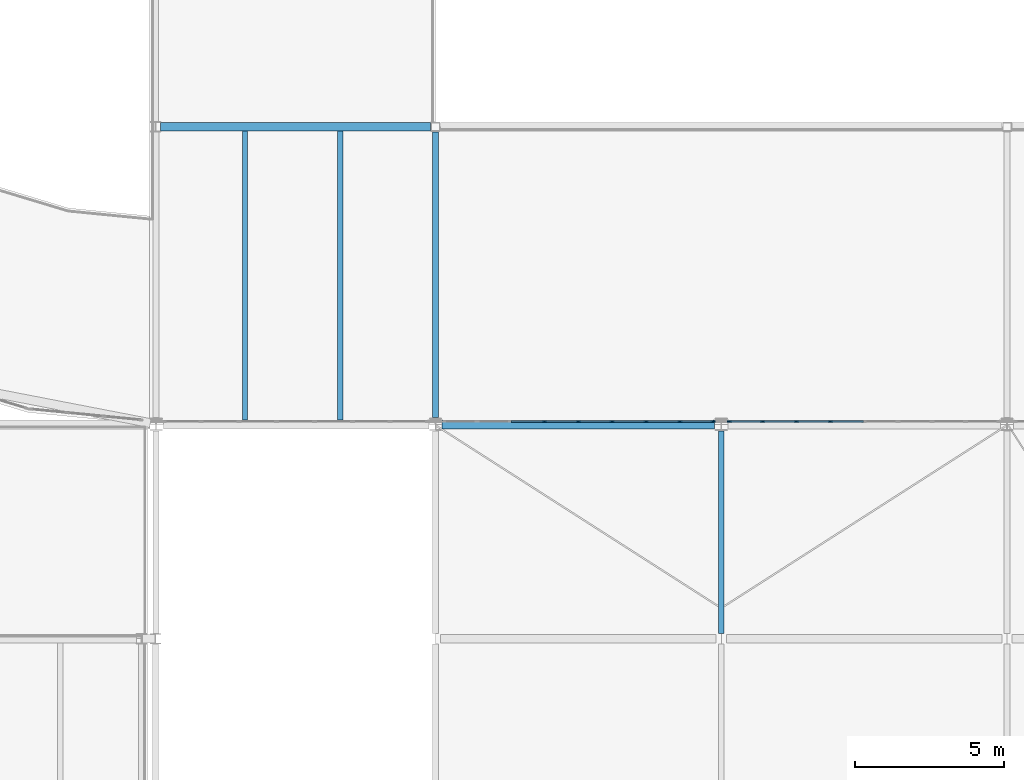
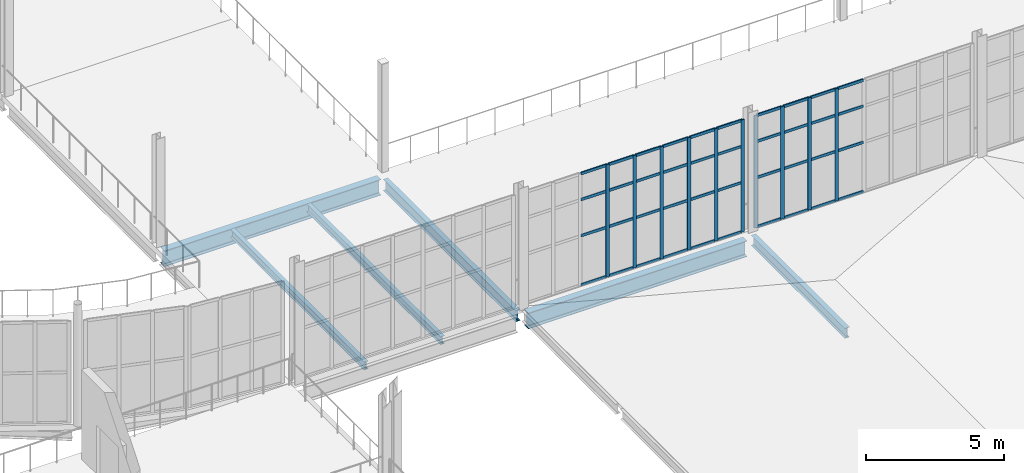
# One storey, part 29 of 112: 50 members, 6 beams, 2 elements without a shape of their own.
"""IFC4 building model written with IfcOpenShell, lengths in metres."""

from ifc_helpers import new_model, si_unit, direction, frame, origin, origin_2d, place, context, subcontext, project, spatial, rectangle, i_section, extrude, material, layer, layer_set, material_profile, profile_set, type_object, element, aggregate, save


model = new_model("IFC4")

# Units and contexts
model_context = context("Model", 3, precision=1e-05, world=origin(), true_north=direction((0.0, 1.0)))
body_context = subcontext(model_context, "Body", "Model", "MODEL_VIEW")
ifc_project = project(units=[si_unit("LENGTHUNIT", "METRE"), si_unit("AREAUNIT", "SQUARE_METRE"), si_unit("VOLUMEUNIT", "CUBIC_METRE"), si_unit("PLANEANGLEUNIT", "RADIAN"), si_unit("MASSUNIT", "GRAM", prefix="KILO")], contexts=[model_context])

# Site, building, storey
site_placement = place(None, origin())
site = spatial("IfcSite", under=ifc_project, at=site_placement, CompositionType="ELEMENT")
building_placement = place(site_placement, origin())
building = spatial("IfcBuilding", under=site, at=building_placement, Name="Yeouljin Market Hall", CompositionType="ELEMENT")
storey_placement = place(building_placement, frame((0.0, 0.0, 6.0)))
storey = spatial("IfcBuildingStorey", under=building, at=storey_placement, Name="L01", CompositionType="ELEMENT", Elevation=6.0)

# Beams
ifc_material_1 = material(Name="Steel SM355", Category="steel")
ifc_material_profile_1 = material_profile(ifc_material_1, i_section(OverallWidth=0.199951171875, OverallDepth=0.449951171875, WebThickness=0.009033203125, FlangeThickness=0.013916015625, FilletRadius=0.01806640625, at=origin_2d()), Name="H-450x200x9x14")
ifc_profile_set_1 = profile_set([ifc_material_profile_1], Name="Steel SM355")
beam_type_1 = type_object("IfcBeamType", Name="Beam_H-450x200x9x14", PredefinedType="BEAM", material=ifc_profile_set_1)
beam_1_placement = place(storey_placement, frame((54.60009765625, 28.97509765625, -0.2451171875), z_axis=(0.0, 1.0, 0.0), x_axis=(-1.0, 0.0, 0.0)))
element("IfcBeam", 1, at=beam_1_placement, inside=storey, type_object=beam_type_1, Name="Boulevard forecourt canopy beam BM-V5FC-Y06", PredefinedType="BEAM", context=body_context, shape_type="SweptSolid", body=[
    extrude(i_section(OverallWidth=0.199951171875, OverallDepth=0.449951171875, WebThickness=0.009033203125, FlangeThickness=0.013916015625, FilletRadius=0.01806640625, at=origin_2d()), origin(), (0.0, 0.0, 1.0), 6.7998046875),
])
ifc_material_2 = material(Name="Steel SM355", Category="steel")
ifc_material_profile_2 = material_profile(ifc_material_2, i_section(OverallWidth=0.199951171875, OverallDepth=0.5, WebThickness=0.010009765625, FlangeThickness=0.01611328125, FilletRadius=0.02001953125, at=origin_2d()), Name="H-500x200x10x16")
ifc_profile_set_2 = profile_set([ifc_material_profile_2], Name="Steel SM355")
beam_type_2 = type_object("IfcBeamType", Name="Beam_H-500x200x10x16", PredefinedType="BEAM", material=ifc_profile_set_2)
beam_2_placement = place(storey_placement, frame((45.0, 36.22509765625, -0.52001953125), z_axis=(0.0, 1.0, 0.0), x_axis=(-1.0, 0.0, 0.0)))
element("IfcBeam", 2, at=beam_2_placement, inside=storey, type_object=beam_type_2, Name="Primary beam BM-L01-Y156", PredefinedType="BEAM", context=body_context, shape_type="SweptSolid", body=[
    extrude(i_section(OverallWidth=0.199951171875, OverallDepth=0.5, WebThickness=0.010009765625, FlangeThickness=0.01611328125, FilletRadius=0.02001953125, at=origin_2d()), origin(), (0.0, 0.0, 1.0), 9.599853515625),
])

# Curtain wall, members
ifc_material_3 = material(Name="Thermally Broken Aluminium", Category="aluminium")
ifc_layer = layer(ifc_material_3, 0.159912109375)
ifc_layer_set = layer_set([ifc_layer], Name="Thermally Broken Aluminium")
curtain_wall_type = type_object("IfcCurtainWallType", Name="CW_HallClerestory_System", PredefinedType="USERDEFINED", material=ifc_layer_set)
curtain_wall_1_placement = place(storey_placement, origin())
curtain_wall_1 = element("IfcCurtainWall", 3, at=curtain_wall_1_placement, inside=storey, type_object=curtain_wall_type, Name="Curtain wall CW-V1S-L01-02", ObjectType="CURTAIN WALL", PredefinedType="USERDEFINED")
ifc_material_4 = material(Name="Thermally Broken Aluminium", Category="aluminium")
ifc_material_profile_3 = material_profile(ifc_material_4, rectangle(XDim=0.048095703125, YDim=0.14990234375, at=origin_2d()), Name="CW-MULL-48x150")
ifc_profile_set_3 = profile_set([ifc_material_profile_3], Name="Thermally Broken Aluminium")
member_type_1 = type_object("IfcMemberType", Name="CWMullion_48x150", PredefinedType="MULLION", material=ifc_profile_set_3)
member_1_placement = place(storey_placement, frame((54.325927734375, 36.10009765625, 0.0), z_axis=(0.0, 0.0, 1.0), x_axis=(0.0, -1.0, 0.0)))
member_1 = element("IfcMember", 4, at=member_1_placement, type_object=member_type_1, Name="CW-02 mullion 1", PredefinedType="MULLION", context=body_context, shape_type="SweptSolid", body=[
    extrude(rectangle(XDim=0.048095703125, YDim=0.14990234375, at=origin_2d()), origin(), (0.0, 0.0, 1.0), 4.969970703125),
])
member_2_placement = place(storey_placement, frame((53.21240234375, 36.10009765625, 0.0), z_axis=(0.0, 0.0, 1.0), x_axis=(0.0, -1.0, 0.0)))
member_2 = element("IfcMember", 5, at=member_2_placement, type_object=member_type_1, Name="CW-02 mullion 2", PredefinedType="MULLION", context=body_context, shape_type="SweptSolid", body=[
    extrude(rectangle(XDim=0.048095703125, YDim=0.14990234375, at=origin_2d()), origin(), (0.0, 0.0, 1.0), 4.969970703125),
])
member_3_placement = place(storey_placement, frame((52.074951171875, 36.10009765625, 0.0), z_axis=(0.0, 0.0, 1.0), x_axis=(0.0, -1.0, 0.0)))
member_3 = element("IfcMember", 6, at=member_3_placement, type_object=member_type_1, Name="CW-02 mullion 3", PredefinedType="MULLION", context=body_context, shape_type="SweptSolid", body=[
    extrude(rectangle(XDim=0.048095703125, YDim=0.14990234375, at=origin_2d()), origin(), (0.0, 0.0, 1.0), 4.969970703125),
])
member_4_placement = place(storey_placement, frame((50.9375, 36.10009765625, 0.0), z_axis=(0.0, 0.0, 1.0), x_axis=(0.0, -1.0, 0.0)))
member_4 = element("IfcMember", 7, at=member_4_placement, type_object=member_type_1, Name="CW-02 mullion 4", PredefinedType="MULLION", context=body_context, shape_type="SweptSolid", body=[
    extrude(rectangle(XDim=0.048095703125, YDim=0.14990234375, at=origin_2d()), origin(), (0.0, 0.0, 1.0), 4.969970703125),
])
member_5_placement = place(storey_placement, frame((49.800048828125, 36.10009765625, 0.0), z_axis=(0.0, 0.0, 1.0), x_axis=(0.0, -1.0, 0.0)))
member_5 = element("IfcMember", 8, at=member_5_placement, type_object=member_type_1, Name="CW-02 mullion 5", PredefinedType="MULLION", context=body_context, shape_type="SweptSolid", body=[
    extrude(rectangle(XDim=0.048095703125, YDim=0.14990234375, at=origin_2d()), origin(), (0.0, 0.0, 1.0), 4.969970703125),
])
member_6_placement = place(storey_placement, frame((48.66259765625, 36.10009765625, 0.0), z_axis=(0.0, 0.0, 1.0), x_axis=(0.0, -1.0, 0.0)))
member_6 = element("IfcMember", 9, at=member_6_placement, type_object=member_type_1, Name="CW-02 mullion 6", PredefinedType="MULLION", context=body_context, shape_type="SweptSolid", body=[
    extrude(rectangle(XDim=0.048095703125, YDim=0.14990234375, at=origin_2d()), origin(), (0.0, 0.0, 1.0), 4.969970703125),
])

curtain_wall_2_placement = place(storey_placement, origin())
curtain_wall_2 = element("IfcCurtainWall", 10, at=curtain_wall_2_placement, inside=storey, type_object=curtain_wall_type, Name="Curtain wall CW-V1S-L01-03", ObjectType="CURTAIN WALL", PredefinedType="USERDEFINED")
member_7_placement = place(storey_placement, frame((58.262451171875, 36.10009765625, 0.0), z_axis=(0.0, 0.0, 1.0), x_axis=(0.0, -1.0, 0.0)))
member_7 = element("IfcMember", 11, at=member_7_placement, type_object=member_type_1, Name="CW-02 mullion 6", PredefinedType="MULLION", context=body_context, shape_type="SweptSolid", body=[
    extrude(rectangle(XDim=0.048095703125, YDim=0.14990234375, at=origin_2d()), origin(), (0.0, 0.0, 1.0), 4.969970703125),
])
member_8_placement = place(storey_placement, frame((57.125, 36.10009765625, 0.0), z_axis=(0.0, 0.0, 1.0), x_axis=(0.0, -1.0, 0.0)))
member_8 = element("IfcMember", 12, at=member_8_placement, type_object=member_type_1, Name="CW-02 mullion 7", PredefinedType="MULLION", context=body_context, shape_type="SweptSolid", body=[
    extrude(rectangle(XDim=0.048095703125, YDim=0.14990234375, at=origin_2d()), origin(), (0.0, 0.0, 1.0), 4.969970703125),
])
member_9_placement = place(storey_placement, frame((55.987548828125, 36.10009765625, 0.0), z_axis=(0.0, 0.0, 1.0), x_axis=(0.0, -1.0, 0.0)))
member_9 = element("IfcMember", 13, at=member_9_placement, type_object=member_type_1, Name="CW-02 mullion 8", PredefinedType="MULLION", context=body_context, shape_type="SweptSolid", body=[
    extrude(rectangle(XDim=0.048095703125, YDim=0.14990234375, at=origin_2d()), origin(), (0.0, 0.0, 1.0), 4.969970703125),
])
member_10_placement = place(storey_placement, frame((54.8740234375, 36.10009765625, 0.0), z_axis=(0.0, 0.0, 1.0), x_axis=(0.0, -1.0, 0.0)))
member_10 = element("IfcMember", 14, at=member_10_placement, type_object=member_type_1, Name="CW-02 mullion 9", PredefinedType="MULLION", context=body_context, shape_type="SweptSolid", body=[
    extrude(rectangle(XDim=0.048095703125, YDim=0.14990234375, at=origin_2d()), origin(), (0.0, 0.0, 1.0), 4.969970703125),
])

# Member
ifc_material_5 = material(Name="Thermally Broken Aluminium", Category="aluminium")
ifc_material_profile_4 = material_profile(ifc_material_5, rectangle(XDim=0.048095703125, YDim=0.1201171875, at=origin_2d()), Name="CW-TRAN-48x120")
ifc_profile_set_4 = profile_set([ifc_material_profile_4], Name="Thermally Broken Aluminium")
member_type_2 = type_object("IfcMemberType", Name="CWTransom_48x120", PredefinedType="USERDEFINED", material=ifc_profile_set_4)
member_11_placement = place(storey_placement, frame((54.302001953125, 36.10009765625, 0.02392578125), z_axis=(-1.0, 0.0, 0.0), x_axis=(0.0, -1.0, 0.0)))
member_11 = element("IfcMember", 15, at=member_11_placement, type_object=member_type_2, Name="CW-02 transom 1.1", ObjectType="TRANSOM", PredefinedType="USERDEFINED", context=body_context, shape_type="SweptSolid", body=[
    extrude(rectangle(XDim=0.048095703125, YDim=0.1201171875, at=origin_2d()), origin(), (0.0, 0.0, 1.0), 1.0654296875),
])

member_12_placement = place(storey_placement, frame((54.302001953125, 36.10009765625, 2.199951171875), z_axis=(-1.0, 0.0, 0.0), x_axis=(0.0, -1.0, 0.0)))
member_12 = element("IfcMember", 16, at=member_12_placement, type_object=member_type_2, Name="CW-02 transom 1.2", ObjectType="TRANSOM", PredefinedType="USERDEFINED", context=body_context, shape_type="SweptSolid", body=[
    extrude(rectangle(XDim=0.048095703125, YDim=0.1201171875, at=origin_2d()), origin(), (0.0, 0.0, 1.0), 1.0654296875),
])

member_13_placement = place(storey_placement, frame((54.302001953125, 36.10009765625, 3.800048828125), z_axis=(-1.0, 0.0, 0.0), x_axis=(0.0, -1.0, 0.0)))
member_13 = element("IfcMember", 17, at=member_13_placement, type_object=member_type_2, Name="CW-02 transom 1.3", ObjectType="TRANSOM", PredefinedType="USERDEFINED", context=body_context, shape_type="SweptSolid", body=[
    extrude(rectangle(XDim=0.048095703125, YDim=0.1201171875, at=origin_2d()), origin(), (0.0, 0.0, 1.0), 1.0654296875),
])

member_14_placement = place(storey_placement, frame((54.302001953125, 36.10009765625, 4.946044921875), z_axis=(-1.0, 0.0, 0.0), x_axis=(0.0, -1.0, 0.0)))
member_14 = element("IfcMember", 18, at=member_14_placement, type_object=member_type_2, Name="CW-02 transom 1.4", ObjectType="TRANSOM", PredefinedType="USERDEFINED", context=body_context, shape_type="SweptSolid", body=[
    extrude(rectangle(XDim=0.048095703125, YDim=0.1201171875, at=origin_2d()), origin(), (0.0, 0.0, 1.0), 1.0654296875),
])

member_15_placement = place(storey_placement, frame((53.1884765625, 36.10009765625, 0.02392578125), z_axis=(-1.0, 0.0, 0.0), x_axis=(0.0, -1.0, 0.0)))
member_15 = element("IfcMember", 19, at=member_15_placement, type_object=member_type_2, Name="CW-02 transom 2.1", ObjectType="TRANSOM", PredefinedType="USERDEFINED", context=body_context, shape_type="SweptSolid", body=[
    extrude(rectangle(XDim=0.048095703125, YDim=0.1201171875, at=origin_2d()), origin(), (0.0, 0.0, 1.0), 1.08935546875),
])

member_16_placement = place(storey_placement, frame((53.1884765625, 36.10009765625, 2.199951171875), z_axis=(-1.0, 0.0, 0.0), x_axis=(0.0, -1.0, 0.0)))
member_16 = element("IfcMember", 20, at=member_16_placement, type_object=member_type_2, Name="CW-02 transom 2.2", ObjectType="TRANSOM", PredefinedType="USERDEFINED", context=body_context, shape_type="SweptSolid", body=[
    extrude(rectangle(XDim=0.048095703125, YDim=0.1201171875, at=origin_2d()), origin(), (0.0, 0.0, 1.0), 1.08935546875),
])

member_17_placement = place(storey_placement, frame((53.1884765625, 36.10009765625, 3.800048828125), z_axis=(-1.0, 0.0, 0.0), x_axis=(0.0, -1.0, 0.0)))
member_17 = element("IfcMember", 21, at=member_17_placement, type_object=member_type_2, Name="CW-02 transom 2.3", ObjectType="TRANSOM", PredefinedType="USERDEFINED", context=body_context, shape_type="SweptSolid", body=[
    extrude(rectangle(XDim=0.048095703125, YDim=0.1201171875, at=origin_2d()), origin(), (0.0, 0.0, 1.0), 1.08935546875),
])

member_18_placement = place(storey_placement, frame((53.1884765625, 36.10009765625, 4.946044921875), z_axis=(-1.0, 0.0, 0.0), x_axis=(0.0, -1.0, 0.0)))
member_18 = element("IfcMember", 22, at=member_18_placement, type_object=member_type_2, Name="CW-02 transom 2.4", ObjectType="TRANSOM", PredefinedType="USERDEFINED", context=body_context, shape_type="SweptSolid", body=[
    extrude(rectangle(XDim=0.048095703125, YDim=0.1201171875, at=origin_2d()), origin(), (0.0, 0.0, 1.0), 1.08935546875),
])

member_19_placement = place(storey_placement, frame((52.051025390625, 36.10009765625, 0.02392578125), z_axis=(-1.0, 0.0, 0.0), x_axis=(0.0, -1.0, 0.0)))
member_19 = element("IfcMember", 23, at=member_19_placement, type_object=member_type_2, Name="CW-02 transom 3.1", ObjectType="TRANSOM", PredefinedType="USERDEFINED", context=body_context, shape_type="SweptSolid", body=[
    extrude(rectangle(XDim=0.048095703125, YDim=0.1201171875, at=origin_2d()), origin(), (0.0, 0.0, 1.0), 1.089599609375),
])

member_20_placement = place(storey_placement, frame((52.051025390625, 36.10009765625, 2.199951171875), z_axis=(-1.0, 0.0, 0.0), x_axis=(0.0, -1.0, 0.0)))
member_20 = element("IfcMember", 24, at=member_20_placement, type_object=member_type_2, Name="CW-02 transom 3.2", ObjectType="TRANSOM", PredefinedType="USERDEFINED", context=body_context, shape_type="SweptSolid", body=[
    extrude(rectangle(XDim=0.048095703125, YDim=0.1201171875, at=origin_2d()), origin(), (0.0, 0.0, 1.0), 1.089599609375),
])

member_21_placement = place(storey_placement, frame((52.051025390625, 36.10009765625, 3.800048828125), z_axis=(-1.0, 0.0, 0.0), x_axis=(0.0, -1.0, 0.0)))
member_21 = element("IfcMember", 25, at=member_21_placement, type_object=member_type_2, Name="CW-02 transom 3.3", ObjectType="TRANSOM", PredefinedType="USERDEFINED", context=body_context, shape_type="SweptSolid", body=[
    extrude(rectangle(XDim=0.048095703125, YDim=0.1201171875, at=origin_2d()), origin(), (0.0, 0.0, 1.0), 1.089599609375),
])

member_22_placement = place(storey_placement, frame((52.051025390625, 36.10009765625, 4.946044921875), z_axis=(-1.0, 0.0, 0.0), x_axis=(0.0, -1.0, 0.0)))
member_22 = element("IfcMember", 26, at=member_22_placement, type_object=member_type_2, Name="CW-02 transom 3.4", ObjectType="TRANSOM", PredefinedType="USERDEFINED", context=body_context, shape_type="SweptSolid", body=[
    extrude(rectangle(XDim=0.048095703125, YDim=0.1201171875, at=origin_2d()), origin(), (0.0, 0.0, 1.0), 1.089599609375),
])

member_23_placement = place(storey_placement, frame((50.91357421875, 36.10009765625, 0.02392578125), z_axis=(-1.0, 0.0, 0.0), x_axis=(0.0, -1.0, 0.0)))
member_23 = element("IfcMember", 27, at=member_23_placement, type_object=member_type_2, Name="CW-02 transom 4.1", ObjectType="TRANSOM", PredefinedType="USERDEFINED", context=body_context, shape_type="SweptSolid", body=[
    extrude(rectangle(XDim=0.048095703125, YDim=0.1201171875, at=origin_2d()), origin(), (0.0, 0.0, 1.0), 1.089599609375),
])

member_24_placement = place(storey_placement, frame((50.91357421875, 36.10009765625, 2.199951171875), z_axis=(-1.0, 0.0, 0.0), x_axis=(0.0, -1.0, 0.0)))
member_24 = element("IfcMember", 28, at=member_24_placement, type_object=member_type_2, Name="CW-02 transom 4.2", ObjectType="TRANSOM", PredefinedType="USERDEFINED", context=body_context, shape_type="SweptSolid", body=[
    extrude(rectangle(XDim=0.048095703125, YDim=0.1201171875, at=origin_2d()), origin(), (0.0, 0.0, 1.0), 1.089599609375),
])

member_25_placement = place(storey_placement, frame((50.91357421875, 36.10009765625, 3.800048828125), z_axis=(-1.0, 0.0, 0.0), x_axis=(0.0, -1.0, 0.0)))
member_25 = element("IfcMember", 29, at=member_25_placement, type_object=member_type_2, Name="CW-02 transom 4.3", ObjectType="TRANSOM", PredefinedType="USERDEFINED", context=body_context, shape_type="SweptSolid", body=[
    extrude(rectangle(XDim=0.048095703125, YDim=0.1201171875, at=origin_2d()), origin(), (0.0, 0.0, 1.0), 1.089599609375),
])

member_26_placement = place(storey_placement, frame((50.91357421875, 36.10009765625, 4.946044921875), z_axis=(-1.0, 0.0, 0.0), x_axis=(0.0, -1.0, 0.0)))
member_26 = element("IfcMember", 30, at=member_26_placement, type_object=member_type_2, Name="CW-02 transom 4.4", ObjectType="TRANSOM", PredefinedType="USERDEFINED", context=body_context, shape_type="SweptSolid", body=[
    extrude(rectangle(XDim=0.048095703125, YDim=0.1201171875, at=origin_2d()), origin(), (0.0, 0.0, 1.0), 1.089599609375),
])

member_27_placement = place(storey_placement, frame((49.77587890625, 36.10009765625, 0.02392578125), z_axis=(-1.0, 0.0, 0.0), x_axis=(0.0, -1.0, 0.0)))
member_27 = element("IfcMember", 31, at=member_27_placement, type_object=member_type_2, Name="CW-02 transom 5.1", ObjectType="TRANSOM", PredefinedType="USERDEFINED", context=body_context, shape_type="SweptSolid", body=[
    extrude(rectangle(XDim=0.048095703125, YDim=0.1201171875, at=origin_2d()), origin(), (0.0, 0.0, 1.0), 1.08935546875),
])

member_28_placement = place(storey_placement, frame((49.77587890625, 36.10009765625, 2.199951171875), z_axis=(-1.0, 0.0, 0.0), x_axis=(0.0, -1.0, 0.0)))
member_28 = element("IfcMember", 32, at=member_28_placement, type_object=member_type_2, Name="CW-02 transom 5.2", ObjectType="TRANSOM", PredefinedType="USERDEFINED", context=body_context, shape_type="SweptSolid", body=[
    extrude(rectangle(XDim=0.048095703125, YDim=0.1201171875, at=origin_2d()), origin(), (0.0, 0.0, 1.0), 1.08935546875),
])

member_29_placement = place(storey_placement, frame((49.77587890625, 36.10009765625, 3.800048828125), z_axis=(-1.0, 0.0, 0.0), x_axis=(0.0, -1.0, 0.0)))
member_29 = element("IfcMember", 33, at=member_29_placement, type_object=member_type_2, Name="CW-02 transom 5.3", ObjectType="TRANSOM", PredefinedType="USERDEFINED", context=body_context, shape_type="SweptSolid", body=[
    extrude(rectangle(XDim=0.048095703125, YDim=0.1201171875, at=origin_2d()), origin(), (0.0, 0.0, 1.0), 1.08935546875),
])

member_30_placement = place(storey_placement, frame((49.77587890625, 36.10009765625, 4.946044921875), z_axis=(-1.0, 0.0, 0.0), x_axis=(0.0, -1.0, 0.0)))
member_30 = element("IfcMember", 34, at=member_30_placement, type_object=member_type_2, Name="CW-02 transom 5.4", ObjectType="TRANSOM", PredefinedType="USERDEFINED", context=body_context, shape_type="SweptSolid", body=[
    extrude(rectangle(XDim=0.048095703125, YDim=0.1201171875, at=origin_2d()), origin(), (0.0, 0.0, 1.0), 1.08935546875),
])

member_31_placement = place(storey_placement, frame((48.638427734375, 36.10009765625, 0.02392578125), z_axis=(-1.0, 0.0, 0.0), x_axis=(0.0, -1.0, 0.0)))
member_31 = element("IfcMember", 35, at=member_31_placement, type_object=member_type_2, Name="CW-02 transom 6.1", ObjectType="TRANSOM", PredefinedType="USERDEFINED", context=body_context, shape_type="SweptSolid", body=[
    extrude(rectangle(XDim=0.048095703125, YDim=0.1201171875, at=origin_2d()), origin(), (0.0, 0.0, 1.0), 1.08935546875),
])

member_32_placement = place(storey_placement, frame((48.638427734375, 36.10009765625, 2.199951171875), z_axis=(-1.0, 0.0, 0.0), x_axis=(0.0, -1.0, 0.0)))
member_32 = element("IfcMember", 36, at=member_32_placement, type_object=member_type_2, Name="CW-02 transom 6.2", ObjectType="TRANSOM", PredefinedType="USERDEFINED", context=body_context, shape_type="SweptSolid", body=[
    extrude(rectangle(XDim=0.048095703125, YDim=0.1201171875, at=origin_2d()), origin(), (0.0, 0.0, 1.0), 1.08935546875),
])

member_33_placement = place(storey_placement, frame((48.638427734375, 36.10009765625, 3.800048828125), z_axis=(-1.0, 0.0, 0.0), x_axis=(0.0, -1.0, 0.0)))
member_33 = element("IfcMember", 37, at=member_33_placement, type_object=member_type_2, Name="CW-02 transom 6.3", ObjectType="TRANSOM", PredefinedType="USERDEFINED", context=body_context, shape_type="SweptSolid", body=[
    extrude(rectangle(XDim=0.048095703125, YDim=0.1201171875, at=origin_2d()), origin(), (0.0, 0.0, 1.0), 1.08935546875),
])

member_34_placement = place(storey_placement, frame((48.638427734375, 36.10009765625, 4.946044921875), z_axis=(-1.0, 0.0, 0.0), x_axis=(0.0, -1.0, 0.0)))
member_34 = element("IfcMember", 38, at=member_34_placement, type_object=member_type_2, Name="CW-02 transom 6.4", ObjectType="TRANSOM", PredefinedType="USERDEFINED", context=body_context, shape_type="SweptSolid", body=[
    extrude(rectangle(XDim=0.048095703125, YDim=0.1201171875, at=origin_2d()), origin(), (0.0, 0.0, 1.0), 1.08935546875),
])

aggregate(curtain_wall_1, [member_1, member_2, member_3, member_4, member_5, member_6, member_11, member_12, member_13, member_14, member_15, member_16, member_17, member_18, member_19, member_20, member_21, member_22, member_23, member_24, member_25, member_26, member_27, member_28, member_29, member_30, member_31, member_32, member_33, member_34])

member_35_placement = place(storey_placement, frame((59.3759765625, 36.10009765625, 0.02392578125), z_axis=(-1.0, 0.0, 0.0), x_axis=(0.0, -1.0, 0.0)))
member_35 = element("IfcMember", 39, at=member_35_placement, type_object=member_type_2, Name="CW-02 transom 5.1", ObjectType="TRANSOM", PredefinedType="USERDEFINED", context=body_context, shape_type="SweptSolid", body=[
    extrude(rectangle(XDim=0.048095703125, YDim=0.1201171875, at=origin_2d()), origin(), (0.0, 0.0, 1.0), 1.08935546875),
])

member_36_placement = place(storey_placement, frame((59.3759765625, 36.10009765625, 2.199951171875), z_axis=(-1.0, 0.0, 0.0), x_axis=(0.0, -1.0, 0.0)))
member_36 = element("IfcMember", 40, at=member_36_placement, type_object=member_type_2, Name="CW-02 transom 5.2", ObjectType="TRANSOM", PredefinedType="USERDEFINED", context=body_context, shape_type="SweptSolid", body=[
    extrude(rectangle(XDim=0.048095703125, YDim=0.1201171875, at=origin_2d()), origin(), (0.0, 0.0, 1.0), 1.08935546875),
])

member_37_placement = place(storey_placement, frame((59.3759765625, 36.10009765625, 3.800048828125), z_axis=(-1.0, 0.0, 0.0), x_axis=(0.0, -1.0, 0.0)))
member_37 = element("IfcMember", 41, at=member_37_placement, type_object=member_type_2, Name="CW-02 transom 5.3", ObjectType="TRANSOM", PredefinedType="USERDEFINED", context=body_context, shape_type="SweptSolid", body=[
    extrude(rectangle(XDim=0.048095703125, YDim=0.1201171875, at=origin_2d()), origin(), (0.0, 0.0, 1.0), 1.08935546875),
])

member_38_placement = place(storey_placement, frame((59.3759765625, 36.10009765625, 4.946044921875), z_axis=(-1.0, 0.0, 0.0), x_axis=(0.0, -1.0, 0.0)))
member_38 = element("IfcMember", 42, at=member_38_placement, type_object=member_type_2, Name="CW-02 transom 5.4", ObjectType="TRANSOM", PredefinedType="USERDEFINED", context=body_context, shape_type="SweptSolid", body=[
    extrude(rectangle(XDim=0.048095703125, YDim=0.1201171875, at=origin_2d()), origin(), (0.0, 0.0, 1.0), 1.08935546875),
])

member_39_placement = place(storey_placement, frame((58.238525390625, 36.10009765625, 0.02392578125), z_axis=(-1.0, 0.0, 0.0), x_axis=(0.0, -1.0, 0.0)))
member_39 = element("IfcMember", 43, at=member_39_placement, type_object=member_type_2, Name="CW-02 transom 6.1", ObjectType="TRANSOM", PredefinedType="USERDEFINED", context=body_context, shape_type="SweptSolid", body=[
    extrude(rectangle(XDim=0.048095703125, YDim=0.1201171875, at=origin_2d()), origin(), (0.0, 0.0, 1.0), 1.089599609375),
])

member_40_placement = place(storey_placement, frame((58.238525390625, 36.10009765625, 2.199951171875), z_axis=(-1.0, 0.0, 0.0), x_axis=(0.0, -1.0, 0.0)))
member_40 = element("IfcMember", 44, at=member_40_placement, type_object=member_type_2, Name="CW-02 transom 6.2", ObjectType="TRANSOM", PredefinedType="USERDEFINED", context=body_context, shape_type="SweptSolid", body=[
    extrude(rectangle(XDim=0.048095703125, YDim=0.1201171875, at=origin_2d()), origin(), (0.0, 0.0, 1.0), 1.089599609375),
])

member_41_placement = place(storey_placement, frame((58.238525390625, 36.10009765625, 3.800048828125), z_axis=(-1.0, 0.0, 0.0), x_axis=(0.0, -1.0, 0.0)))
member_41 = element("IfcMember", 45, at=member_41_placement, type_object=member_type_2, Name="CW-02 transom 6.3", ObjectType="TRANSOM", PredefinedType="USERDEFINED", context=body_context, shape_type="SweptSolid", body=[
    extrude(rectangle(XDim=0.048095703125, YDim=0.1201171875, at=origin_2d()), origin(), (0.0, 0.0, 1.0), 1.089599609375),
])

member_42_placement = place(storey_placement, frame((58.238525390625, 36.10009765625, 4.946044921875), z_axis=(-1.0, 0.0, 0.0), x_axis=(0.0, -1.0, 0.0)))
member_42 = element("IfcMember", 46, at=member_42_placement, type_object=member_type_2, Name="CW-02 transom 6.4", ObjectType="TRANSOM", PredefinedType="USERDEFINED", context=body_context, shape_type="SweptSolid", body=[
    extrude(rectangle(XDim=0.048095703125, YDim=0.1201171875, at=origin_2d()), origin(), (0.0, 0.0, 1.0), 1.089599609375),
])

member_43_placement = place(storey_placement, frame((57.10107421875, 36.10009765625, 0.02392578125), z_axis=(-1.0, 0.0, 0.0), x_axis=(0.0, -1.0, 0.0)))
member_43 = element("IfcMember", 47, at=member_43_placement, type_object=member_type_2, Name="CW-02 transom 7.1", ObjectType="TRANSOM", PredefinedType="USERDEFINED", context=body_context, shape_type="SweptSolid", body=[
    extrude(rectangle(XDim=0.048095703125, YDim=0.1201171875, at=origin_2d()), origin(), (0.0, 0.0, 1.0), 1.089599609375),
])

member_44_placement = place(storey_placement, frame((57.10107421875, 36.10009765625, 2.199951171875), z_axis=(-1.0, 0.0, 0.0), x_axis=(0.0, -1.0, 0.0)))
member_44 = element("IfcMember", 48, at=member_44_placement, type_object=member_type_2, Name="CW-02 transom 7.2", ObjectType="TRANSOM", PredefinedType="USERDEFINED", context=body_context, shape_type="SweptSolid", body=[
    extrude(rectangle(XDim=0.048095703125, YDim=0.1201171875, at=origin_2d()), origin(), (0.0, 0.0, 1.0), 1.089599609375),
])

member_45_placement = place(storey_placement, frame((57.10107421875, 36.10009765625, 3.800048828125), z_axis=(-1.0, 0.0, 0.0), x_axis=(0.0, -1.0, 0.0)))
member_45 = element("IfcMember", 49, at=member_45_placement, type_object=member_type_2, Name="CW-02 transom 7.3", ObjectType="TRANSOM", PredefinedType="USERDEFINED", context=body_context, shape_type="SweptSolid", body=[
    extrude(rectangle(XDim=0.048095703125, YDim=0.1201171875, at=origin_2d()), origin(), (0.0, 0.0, 1.0), 1.089599609375),
])

member_46_placement = place(storey_placement, frame((57.10107421875, 36.10009765625, 4.946044921875), z_axis=(-1.0, 0.0, 0.0), x_axis=(0.0, -1.0, 0.0)))
member_46 = element("IfcMember", 50, at=member_46_placement, type_object=member_type_2, Name="CW-02 transom 7.4", ObjectType="TRANSOM", PredefinedType="USERDEFINED", context=body_context, shape_type="SweptSolid", body=[
    extrude(rectangle(XDim=0.048095703125, YDim=0.1201171875, at=origin_2d()), origin(), (0.0, 0.0, 1.0), 1.089599609375),
])

member_47_placement = place(storey_placement, frame((55.96337890625, 36.10009765625, 0.02392578125), z_axis=(-1.0, 0.0, 0.0), x_axis=(0.0, -1.0, 0.0)))
member_47 = element("IfcMember", 51, at=member_47_placement, type_object=member_type_2, Name="CW-02 transom 8.1", ObjectType="TRANSOM", PredefinedType="USERDEFINED", context=body_context, shape_type="SweptSolid", body=[
    extrude(rectangle(XDim=0.048095703125, YDim=0.1201171875, at=origin_2d()), origin(), (0.0, 0.0, 1.0), 1.0654296875),
])

member_48_placement = place(storey_placement, frame((55.96337890625, 36.10009765625, 2.199951171875), z_axis=(-1.0, 0.0, 0.0), x_axis=(0.0, -1.0, 0.0)))
member_48 = element("IfcMember", 52, at=member_48_placement, type_object=member_type_2, Name="CW-02 transom 8.2", ObjectType="TRANSOM", PredefinedType="USERDEFINED", context=body_context, shape_type="SweptSolid", body=[
    extrude(rectangle(XDim=0.048095703125, YDim=0.1201171875, at=origin_2d()), origin(), (0.0, 0.0, 1.0), 1.0654296875),
])

member_49_placement = place(storey_placement, frame((55.96337890625, 36.10009765625, 3.800048828125), z_axis=(-1.0, 0.0, 0.0), x_axis=(0.0, -1.0, 0.0)))
member_49 = element("IfcMember", 53, at=member_49_placement, type_object=member_type_2, Name="CW-02 transom 8.3", ObjectType="TRANSOM", PredefinedType="USERDEFINED", context=body_context, shape_type="SweptSolid", body=[
    extrude(rectangle(XDim=0.048095703125, YDim=0.1201171875, at=origin_2d()), origin(), (0.0, 0.0, 1.0), 1.0654296875),
])

member_50_placement = place(storey_placement, frame((55.96337890625, 36.10009765625, 4.946044921875), z_axis=(-1.0, 0.0, 0.0), x_axis=(0.0, -1.0, 0.0)))
member_50 = element("IfcMember", 54, at=member_50_placement, type_object=member_type_2, Name="CW-02 transom 8.4", ObjectType="TRANSOM", PredefinedType="USERDEFINED", context=body_context, shape_type="SweptSolid", body=[
    extrude(rectangle(XDim=0.048095703125, YDim=0.1201171875, at=origin_2d()), origin(), (0.0, 0.0, 1.0), 1.0654296875),
])

aggregate(curtain_wall_2, [member_7, member_8, member_9, member_10, member_35, member_36, member_37, member_38, member_39, member_40, member_41, member_42, member_43, member_44, member_45, member_46, member_47, member_48, member_49, member_50])

# Beams
ifc_material_6 = material(Name="Steel SM355", Category="steel")
ifc_material_profile_5 = material_profile(ifc_material_6, i_section(OverallWidth=0.300048828125, OverallDepth=0.699951171875, WebThickness=0.012939453125, FlangeThickness=0.02392578125, FilletRadius=0.02587890625, at=origin_2d()), Name="H-700x300x13x24")
ifc_profile_set_5 = profile_set([ifc_material_profile_5], Name="Steel SM355")
beam_type_3 = type_object("IfcBeamType", Name="Girder_H-700x300x13x24", PredefinedType="USERDEFINED", material=ifc_profile_set_5)
beam_3_placement = place(storey_placement, frame((45.22509765625, 36.0, -0.6201171875), z_axis=(1.0, 0.0, 0.0), x_axis=(0.0, 1.0, 0.0)))
element("IfcBeam", 55, at=beam_3_placement, inside=storey, type_object=beam_type_3, Name="Primary girder GRD-L01-X049", ObjectType="GIRDER", PredefinedType="USERDEFINED", context=body_context, shape_type="SweptSolid", body=[
    extrude(i_section(OverallWidth=0.300048828125, OverallDepth=0.699951171875, WebThickness=0.012939453125, FlangeThickness=0.02392578125, FilletRadius=0.02587890625, at=origin_2d()), origin(), (0.0, 0.0, 1.0), 9.14990234375),
])
beam_4_placement = place(storey_placement, frame((35.764892578125, 46.0, -0.6201171875), z_axis=(1.0, 0.0, 0.0), x_axis=(0.0, 1.0, 0.0)))
element("IfcBeam", 56, at=beam_4_placement, inside=storey, type_object=beam_type_3, Name="Primary girder GRD-L01-X062", ObjectType="GIRDER", PredefinedType="USERDEFINED", context=body_context, shape_type="SweptSolid", body=[
    extrude(i_section(OverallWidth=0.300048828125, OverallDepth=0.699951171875, WebThickness=0.012939453125, FlangeThickness=0.02392578125, FilletRadius=0.02587890625, at=origin_2d()), origin(), (0.0, 0.0, 1.0), 9.06005859375),
])
ifc_material_7 = material(Name="Steel SM355", Category="steel")
ifc_material_profile_6 = material_profile(ifc_material_7, i_section(OverallWidth=0.175048828125, OverallDepth=0.35009765625, WebThickness=0.007080078125, FlangeThickness=0.010986328125, FilletRadius=0.013916015625, at=origin_2d()), Name="H-350x175x7x11")
ifc_profile_set_6 = profile_set([ifc_material_profile_6], Name="Steel SM355")
beam_type_4 = type_object("IfcBeamType", Name="Joist_H-350x175x7x11", PredefinedType="JOIST", material=ifc_profile_set_6)
for number, where, z_axis, x_axis, name in (
    (57, (38.60009765625, 36.14697265625, -0.445068359375), (0.0, 1.0, 0.0), (-1.0, 0.0, 0.0), "Secondary floor joist L01-028"),
    (58, (41.800048828125, 36.14697265625, -0.445068359375), (0.0, 1.0, 0.0), (-1.0, 0.0, 0.0), "Secondary floor joist L01-029"),
):
    element("IfcBeam", number, at=place(storey_placement, frame(where, z_axis=z_axis, x_axis=x_axis)), inside=storey, type_object=beam_type_4, Name=name, PredefinedType="JOIST", context=body_context, shape_type="SweptSolid", body=[
        extrude(i_section(OverallWidth=0.175048828125, OverallDepth=0.35009765625, WebThickness=0.007080078125, FlangeThickness=0.010986328125, FilletRadius=0.013916015625, at=origin_2d()), origin(), (0.0, 0.0, 1.0), 9.7060546875),
    ])

save(model, "model.ifc")
